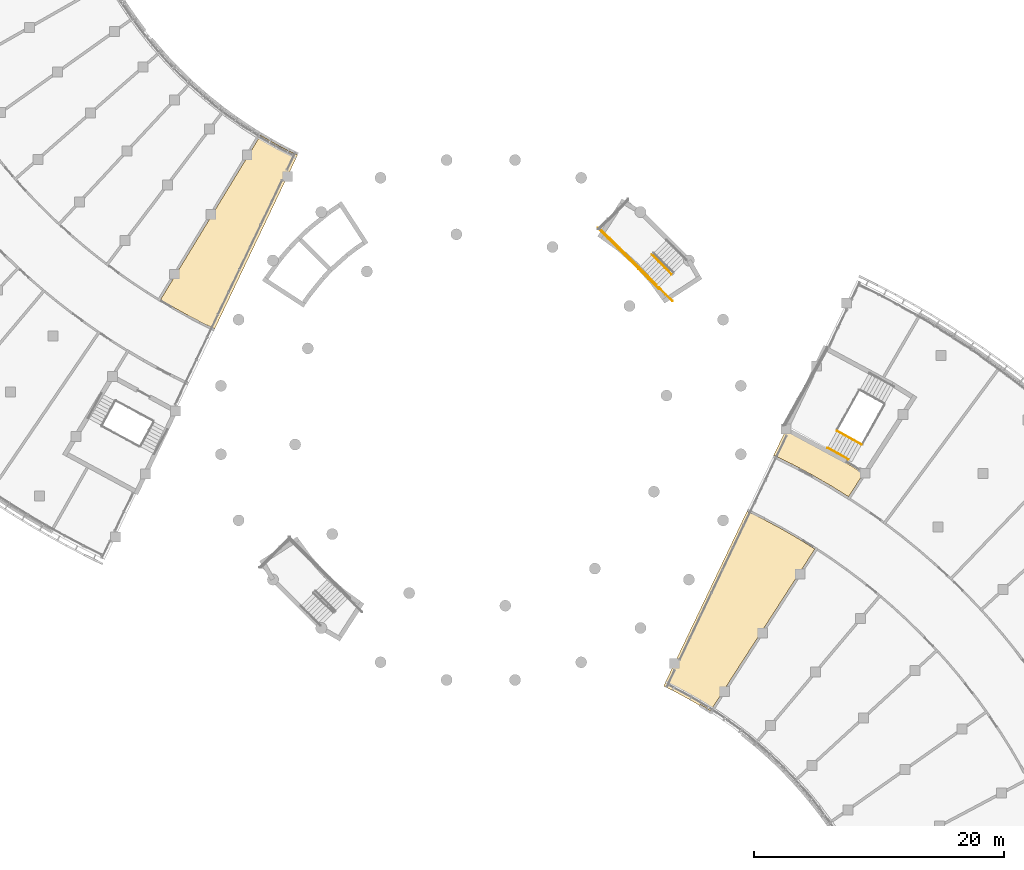
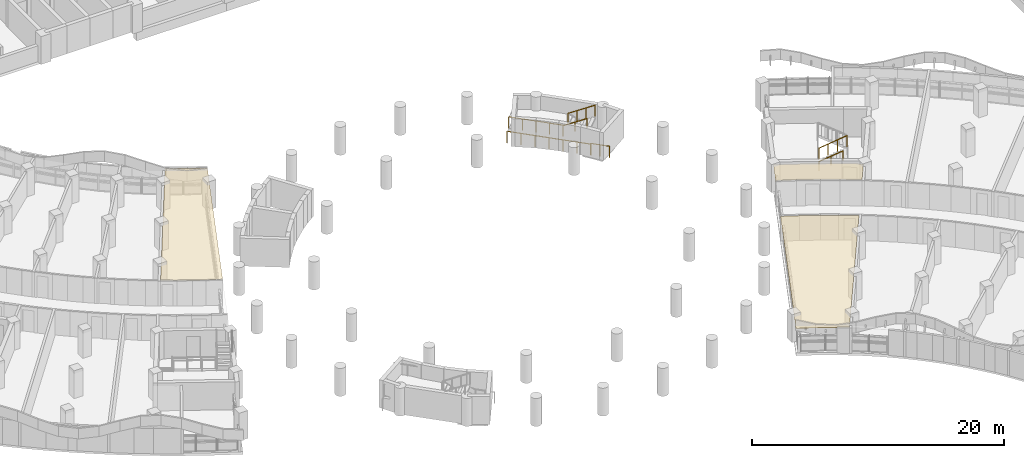
# One storey, part 80 of 89: 7 railings, 3 coverings.
"""IFC4 building model written with IfcOpenShell, lengths in metres."""

import ifcopenshell
import ifcopenshell.guid

model = None  # the IFC model being written
_history = None  # IfcOwnerHistory: only IFC2X3 demands one
_inside = {}  # id of a spatial element -> (the spatial element, [elements in it])
_under = {}  # id of a project, library or spatial element -> (it, [spatial elements below it])
_declared = {}  # id of a project -> (the project, [libraries it declares])
_typed = {}  # id of a type object -> (the type object, [elements of that type])
_made_of = {}  # id of a material, layer set ... -> (it, [elements and type objects made of it])


def new_model(schema):
    """Start an empty IFC model of exactly this schema.

    Asked for "IFC4X3", IfcOpenShell would pick the latest addendum, in which some entities
    have other attributes; the version numbers below select the first issue.
    IFC2X3 requires an IfcOwnerHistory on every rooted entity: one is made here for all.
    """
    global model, _history
    if schema == "IFC4X3":
        model = ifcopenshell.file(schema_version=(4, 3, 0, 0))
    else:
        model = ifcopenshell.file(schema=schema)
    _inside.clear()
    _under.clear()
    _declared.clear()
    _typed.clear()
    _made_of.clear()
    _history = None
    if model.schema == "IFC2X3":
        org = make("IfcOrganization", Name="unknown")
        user = make(
            "IfcPersonAndOrganization",
            ThePerson=make("IfcPerson", FamilyName="unknown"),
            TheOrganization=org,
        )
        app = make(
            "IfcApplication",
            ApplicationDeveloper=org,
            Version="unknown",
            ApplicationFullName="unknown",
            ApplicationIdentifier="unknown",
        )
        _history = make(
            "IfcOwnerHistory",
            OwningUser=user,
            OwningApplication=app,
            ChangeAction="ADDED",
            CreationDate=0,
        )
    return model


def make(cls, **values):
    """One entity of the class cls with the attributes given. An attribute that is None is left unset."""
    return model.create_entity(
        cls, **{name: value for name, value in values.items() if value is not None}
    )


def rooted(cls, **values):
    """An entity with a GlobalId (a new one), such as an element, a storey or a relation."""
    return make(cls, GlobalId=ifcopenshell.guid.new(), OwnerHistory=_history, **values)


def si_unit(unit_type, name, prefix=None):
    """IfcSIUnit, for example si_unit("LENGTHUNIT", "METRE", prefix="MILLI")."""
    return make("IfcSIUnit", UnitType=unit_type, Prefix=prefix, Name=name)


def assignment(units):
    """IfcUnitAssignment: the units of a project."""
    return None if units is None else make("IfcUnitAssignment", Units=units)


def point(xyz):
    """IfcCartesianPoint."""
    return None if xyz is None else make("IfcCartesianPoint", Coordinates=xyz)


def direction(xyz):
    """IfcDirection."""
    return None if xyz is None else make("IfcDirection", DirectionRatios=xyz)


def frame(location, z_axis=None, x_axis=None):
    """IfcAxis2Placement3D, a coordinate frame: its origin and axes. An axis left out is left unset."""
    return make(
        "IfcAxis2Placement3D",
        Location=point(location),
        Axis=direction(z_axis),
        RefDirection=direction(x_axis),
    )


def frame_2d(location, x_axis=None):
    """IfcAxis2Placement2D, a coordinate frame in the plane: its origin and x axis."""
    return make(
        "IfcAxis2Placement2D", Location=point(location), RefDirection=direction(x_axis)
    )


def origin():
    """The frame at (0, 0, 0) with its axes left unset."""
    return frame((0.0, 0.0, 0.0))


def origin_2d():
    """The frame at (0, 0) in the plane with its x axis left unset."""
    return frame_2d((0.0, 0.0))


def place(relative_to, where):
    """IfcLocalPlacement: puts the frame where relative to a parent placement (None: the world)."""
    return make(
        "IfcLocalPlacement", PlacementRelTo=relative_to, RelativePlacement=where
    )


def context(
    kind, dimensions, precision=None, world=None, true_north=None, identifier=None
):
    """IfcGeometricRepresentationContext, for example the 3D "Model" context."""
    return make(
        "IfcGeometricRepresentationContext",
        ContextIdentifier=identifier,
        ContextType=kind,
        CoordinateSpaceDimension=dimensions,
        Precision=precision,
        WorldCoordinateSystem=world,
        TrueNorth=true_north,
    )


def subcontext(parent, identifier, kind, view, scale=None):
    """IfcGeometricRepresentationSubContext, for example "Body" below "Model"."""
    return make(
        "IfcGeometricRepresentationSubContext",
        ContextIdentifier=identifier,
        ContextType=kind,
        ParentContext=parent,
        TargetScale=scale,
        TargetView=view,
    )


def project(units=None, contexts=None):
    """IfcProject with its units and contexts."""
    return rooted(
        "IfcProject",
        Name="project",
        RepresentationContexts=contexts,
        UnitsInContext=assignment(units),
    )


def spatial(cls, under=None, at=None, **own):
    """A site, building, storey or space (cls), placed at a placement, below another one or the project."""
    s = rooted(cls, ObjectPlacement=at, **own)
    if under is not None:
        _under.setdefault(under.id(), (under, []))[1].append(s)
    return s


def polyline(points):
    """IfcPolyline through the points."""
    return make("IfcPolyline", Points=[point(p) for p in points])


def profile(cls, at=None, kind="AREA", **sizes):
    """A parametric profile (cls). Its sizes go by their IFC names, for example OverallWidth=200.0."""
    return make(cls, ProfileType=kind, Position=at, **sizes)


def circle(**sizes):
    """IfcCircleProfileDef."""
    return profile("IfcCircleProfileDef", **sizes)


def outline(outer, holes=None, kind="AREA"):
    """IfcArbitraryClosedProfileDef: a profile drawn as a closed curve; with holes, ...WithVoids."""
    if holes is None:
        return make("IfcArbitraryClosedProfileDef", ProfileType=kind, OuterCurve=outer)
    return make(
        "IfcArbitraryProfileDefWithVoids",
        ProfileType=kind,
        OuterCurve=outer,
        InnerCurves=holes,
    )


def extrude(swept, where, along, depth):
    """IfcExtrudedAreaSolid: the profile swept, set in the frame where, extruded along a direction by depth."""
    return make(
        "IfcExtrudedAreaSolid",
        SweptArea=swept,
        Position=where,
        ExtrudedDirection=direction(along),
        Depth=depth,
    )


def shape(context_of_items, identifier, shape_type, items):
    """IfcShapeRepresentation: the items that make up one representation, for example the "Body"."""
    return make(
        "IfcShapeRepresentation",
        ContextOfItems=context_of_items,
        RepresentationIdentifier=identifier,
        RepresentationType=shape_type,
        Items=items,
    )


def material(Name=None, Category=None):
    """IfcMaterial."""
    return make("IfcMaterial", Name=Name, Category=Category)


def layer(
    of_material, thickness, ventilated=None, Name=None, Category=None, Priority=None
):
    """IfcMaterialLayer: one layer of a wall or slab, of a material (None: an air gap)."""
    return make(
        "IfcMaterialLayer",
        Material=of_material,
        LayerThickness=thickness,
        IsVentilated=ventilated,
        Name=Name,
        Category=Category,
        Priority=Priority,
    )


def layer_set(layers, Name=None):
    """IfcMaterialLayerSet."""
    return make("IfcMaterialLayerSet", MaterialLayers=layers, LayerSetName=Name)


def made_of(thing, what):
    """Note that an element or type object is made of a material, layer set ...; save() writes the relation."""
    if what is not None:
        _made_of.setdefault(what.id(), (what, []))[1].append(thing)
    return thing


def type_object(cls, material=None, **own):
    """A type object (cls), such as IfcWallType, which elements share."""
    return made_of(rooted(cls, **own), material)


def element(
    cls,
    number,
    at=None,
    inside=None,
    cuts=None,
    type_object=None,
    material=None,
    context=None,
    identifier="Body",
    shape_type=None,
    held_by="IfcProductDefinitionShape",
    body=None,
    shapes=None,
    **own,
):
    """One element of the class cls, such as IfcWall. Its Tag is "e" and its number.

    at: its placement. inside: the storey or other place that contains it. cuts: it is an
    opening in that element (IfcRelVoidsElement). A single representation is given by context,
    identifier, shape_type and body (its items); several are given by shapes. held_by: the class
    of the entity that holds the representations. save() writes the other relations.
    """
    e = rooted(cls, Tag="e%d" % number, ObjectPlacement=at, **own)
    if body is not None:
        shapes = [shape(context, identifier, shape_type, body)]
    if shapes is not None:
        e.Representation = make(held_by, Representations=shapes)
    if inside is not None:
        _inside.setdefault(inside.id(), (inside, []))[1].append(e)
    if cuts is not None:
        rooted(
            "IfcRelVoidsElement", RelatingBuildingElement=cuts, RelatedOpeningElement=e
        )
    if type_object is not None:
        _typed.setdefault(type_object.id(), (type_object, []))[1].append(e)
    return made_of(e, material)


def aggregate(whole, parts):
    """IfcRelAggregates: a whole, such as a stair, and the parts it consists of."""
    return rooted("IfcRelAggregates", RelatingObject=whole, RelatedObjects=parts)


def save(model, path):
    """Write the relations noted so far, then the file.

    IfcRelAggregates (storeys below a building ...), IfcRelContainedInSpatialStructure (elements
    in a storey), IfcRelDefinesByType, IfcRelAssociatesMaterial and IfcRelDeclares: one each for
    every whole, place, type object, material and project.
    """
    for whole, parts in _under.values():
        aggregate(whole, parts)
    for where, things in _inside.values():
        rooted(
            "IfcRelContainedInSpatialStructure",
            RelatedElements=things,
            RelatingStructure=where,
        )
    for kind, things in _typed.values():
        rooted("IfcRelDefinesByType", RelatedObjects=things, RelatingType=kind)
    for what, things in _made_of.values():
        rooted("IfcRelAssociatesMaterial", RelatedObjects=things, RelatingMaterial=what)
    for by, libraries in _declared.values():
        rooted("IfcRelDeclares", RelatingContext=by, RelatedDefinitions=libraries)
    model.write(path)


model = new_model("IFC4")

# Units and contexts
model_context = context("Model", 3, precision=1e-05, world=origin(), true_north=direction((0.0, 1.0)))
body_context = subcontext(model_context, "Body", "Model", "MODEL_VIEW")
ifc_project = project(units=[si_unit("LENGTHUNIT", "METRE"), si_unit("AREAUNIT", "SQUARE_METRE"), si_unit("VOLUMEUNIT", "CUBIC_METRE"), si_unit("PLANEANGLEUNIT", "RADIAN"), si_unit("MASSUNIT", "GRAM", prefix="KILO")], contexts=[model_context])

# Site, building, storey
site_placement = place(None, origin())
site = spatial("IfcSite", under=ifc_project, at=site_placement, CompositionType="ELEMENT")
building_placement = place(site_placement, origin())
building = spatial("IfcBuilding", under=site, at=building_placement, Name="Bougainvillea Quay General Hospital", CompositionType="ELEMENT")
storey_placement = place(building_placement, frame((0.0, 0.0, 9.89990234375)))
storey = spatial("IfcBuildingStorey", under=building, at=storey_placement, Name="L01M", CompositionType="ELEMENT", Elevation=9.89990234375)

# Railings
ifc_material_1 = material(Name="Stainless steel 304 balustrade", Category="steel")
railing_type_1 = type_object("IfcRailingType", Name="Stair guard 1100", PredefinedType="GUARDRAIL", material=ifc_material_1)
railing_1_placement = place(storey_placement, frame((137.727783203125, 73.1259765625, 1.5)))
element("IfcRailing", 1, at=railing_1_placement, inside=storey, type_object=railing_type_1, Name="L01M ST-E1 stair guard 4", PredefinedType="GUARDRAIL", context=body_context, shape_type="SweptSolid", body=[
    extrude(circle(Radius=0.02392578125, at=origin_2d()), frame((0.0, 0.0, 1.076171875), z_axis=(0.769744021649, -0.429450296652, 0.472299252425), x_axis=(0.487215399405, 0.873281829985, 0.0)), (0.0, 0.0, 1.0), 2.541259765625),
    extrude(circle(Radius=0.02099609375, at=origin_2d()), origin(), (0.0, 0.0, 1.0), 1.052001953125),
    extrude(circle(Radius=0.02099609375, at=origin_2d()), frame((0.652099609375, -0.36376953125, 0.400146484375)), (0.0, 0.0, 1.0), 1.052001953125),
    extrude(circle(Radius=0.02099609375, at=origin_2d()), frame((1.303955078125, -0.7275390625, 0.800048828125)), (0.0, 0.0, 1.0), 1.052001953125),
    extrude(circle(Radius=0.02099609375, at=origin_2d()), frame((1.9560546875, -1.09130859375, 1.2001953125)), (0.0, 0.0, 1.0), 1.052001953125),
])
railing_2_placement = place(storey_placement, frame((121.86962890625, 86.208740234375, 1.35009765625)))
element("IfcRailing", 2, at=railing_2_placement, inside=storey, type_object=railing_type_1, Name="L01M ST-H1 stair guard 3", PredefinedType="GUARDRAIL", context=body_context, shape_type="SweptSolid", body=[
    extrude(circle(Radius=0.02392578125, at=origin_2d()), frame((0.0, 0.0, 1.076171875), z_axis=(-0.707106781187, 0.707106781187, 0.0), x_axis=(-0.707106781187, -0.707106781187, 0.0)), (0.0, 0.0, 1.0), 4.455078125),
    extrude(circle(Radius=0.02099609375, at=origin_2d()), origin(), (0.0, 0.0, 1.0), 1.052001953125),
    extrude(circle(Radius=0.02099609375, at=origin_2d()), frame((-0.78759765625, 0.78759765625, 0.0)), (0.0, 0.0, 1.0), 1.052001953125),
    extrude(circle(Radius=0.02099609375, at=origin_2d()), frame((-1.5751953125, 1.5751953125, 0.0)), (0.0, 0.0, 1.0), 1.052001953125),
    extrude(circle(Radius=0.02099609375, at=origin_2d()), frame((-2.362548828125, 2.362548828125, 0.0)), (0.0, 0.0, 1.0), 1.052001953125),
    extrude(circle(Radius=0.02099609375, at=origin_2d()), frame((-3.150146484375, 3.150146484375, 0.0)), (0.0, 0.0, 1.0), 1.052001953125),
])
railing_3_placement = place(storey_placement, frame((122.904052734375, 87.2431640625, 1.5)))
element("IfcRailing", 3, at=railing_3_placement, inside=storey, type_object=railing_type_1, Name="L01M ST-H1 stair guard 5", PredefinedType="GUARDRAIL", context=body_context, shape_type="SweptSolid", body=[
    extrude(circle(Radius=0.02392578125, at=origin_2d()), frame((0.0, 0.0, 1.076171875), z_axis=(0.623320883276, -0.62322481039, 0.472294306748), x_axis=(0.707052281454, 0.707161276719, 0.0)), (0.0, 0.0, 1.0), 2.541259765625),
    extrude(circle(Radius=0.02099609375, at=origin_2d()), origin(), (0.0, 0.0, 1.0), 1.052001953125),
    extrude(circle(Radius=0.02099609375, at=origin_2d()), frame((0.528076171875, -0.52783203125, 0.400146484375)), (0.0, 0.0, 1.0), 1.052001953125),
    extrude(circle(Radius=0.02099609375, at=origin_2d()), frame((1.055908203125, -1.055908203125, 0.800048828125)), (0.0, 0.0, 1.0), 1.052001953125),
    extrude(circle(Radius=0.02099609375, at=origin_2d()), frame((1.583984375, -1.583740234375, 1.2001953125)), (0.0, 0.0, 1.0), 1.052001953125),
])
railing_4_placement = place(storey_placement, frame((124.558837890625, 83.51953125, 0.0)))
element("IfcRailing", 4, at=railing_4_placement, inside=storey, type_object=railing_type_1, Name="L01M ST-H1 stair guard 7", PredefinedType="GUARDRAIL", context=body_context, shape_type="SweptSolid", body=[
    extrude(circle(Radius=0.02392578125, at=origin_2d()), frame((0.0, 0.0, 1.076171875), z_axis=(-0.707106781187, 0.707106781187, 0.0), x_axis=(-0.707106781187, -0.707106781187, 0.0)), (0.0, 0.0, 1.0), 1.56298828125),
    extrude(circle(Radius=0.02099609375, at=origin_2d()), origin(), (0.0, 0.0, 1.0), 1.052001953125),
    extrude(circle(Radius=0.02099609375, at=origin_2d()), frame((-0.552734375, 0.552734375, 0.0)), (0.0, 0.0, 1.0), 1.052001953125),
    extrude(circle(Radius=0.02099609375, at=origin_2d()), frame((-1.105224609375, 1.105224609375, 0.0)), (0.0, 0.0, 1.0), 1.052001953125),
])
railing_5_placement = place(storey_placement, frame((123.45361328125, 84.4833984375, 0.0)))
element("IfcRailing", 5, at=railing_5_placement, inside=storey, type_object=railing_type_1, Name="L01M ST-H1 stair guard 8", PredefinedType="GUARDRAIL", context=body_context, shape_type="SweptSolid", body=[
    extrude(circle(Radius=0.02392578125, at=origin_2d()), frame((0.0, 0.0, 1.076171875), z_axis=(-0.707106781187, 0.707106781187, 0.0), x_axis=(-0.707106781187, -0.707106781187, 0.0)), (0.0, 0.0, 1.0), 6.89501953125),
    extrude(circle(Radius=0.02099609375, at=origin_2d()), origin(), (0.0, 0.0, 1.0), 1.052001953125),
    extrude(circle(Radius=0.02099609375, at=origin_2d()), frame((-0.8125, 0.8125, 0.0)), (0.0, 0.0, 1.0), 1.052001953125),
    extrude(circle(Radius=0.02099609375, at=origin_2d()), frame((-1.625244140625, 1.625244140625, 0.0)), (0.0, 0.0, 1.0), 1.052001953125),
    extrude(circle(Radius=0.02099609375, at=origin_2d()), frame((-2.437744140625, 2.437744140625, 0.0)), (0.0, 0.0, 1.0), 1.052001953125),
    extrude(circle(Radius=0.02099609375, at=origin_2d()), frame((-3.250244140625, 3.250244140625, 0.0)), (0.0, 0.0, 1.0), 1.052001953125),
    extrude(circle(Radius=0.02099609375, at=origin_2d()), frame((-4.06298828125, 4.06298828125, 0.0)), (0.0, 0.0, 1.0), 1.052001953125),
    extrude(circle(Radius=0.02099609375, at=origin_2d()), frame((-4.87548828125, 4.87548828125, 0.0)), (0.0, 0.0, 1.0), 1.052001953125),
])
ifc_material_2 = material(Name="Stainless steel 304 handrail", Category="steel")
railing_type_2 = type_object("IfcRailingType", Name="Stair handrail 900", PredefinedType="HANDRAIL", material=ifc_material_2)
railing_6_placement = place(storey_placement, frame((136.97265625, 71.772216796875, 1.5)))
element("IfcRailing", 6, at=railing_6_placement, inside=storey, type_object=railing_type_2, Name="L01M ST-E1 stair handrail 2", PredefinedType="HANDRAIL", context=body_context, shape_type="SweptSolid", body=[
    extrude(circle(Radius=0.02392578125, at=origin_2d()), frame((0.0, 0.0, 0.8759765625), z_axis=(0.769766477046, -0.429491734351, 0.47222496857), x_axis=(0.487240410634, 0.873267875423, 0.0)), (0.0, 0.0, 1.0), 2.148193359375),
    extrude(circle(Radius=0.02099609375, at=origin_2d()), origin(), (0.0, 0.0, 1.0), 0.851806640625),
    extrude(circle(Radius=0.02099609375, at=origin_2d()), frame((0.82666015625, -0.46142578125, 0.50732421875)), (0.0, 0.0, 1.0), 0.851806640625),
    extrude(circle(Radius=0.02099609375, at=origin_2d()), frame((1.653564453125, -0.922607421875, 1.014404296875)), (0.0, 0.0, 1.0), 0.851806640625),
])
railing_7_placement = place(storey_placement, frame((121.86962890625, 86.208740234375, 1.5)))
element("IfcRailing", 7, at=railing_7_placement, inside=storey, type_object=railing_type_2, Name="L01M ST-H1 stair handrail 2", PredefinedType="HANDRAIL", context=body_context, shape_type="SweptSolid", body=[
    extrude(circle(Radius=0.02392578125, at=origin_2d()), frame((0.0, 0.0, 0.8759765625), z_axis=(0.62329099477, -0.62329099477, 0.472246409915), x_axis=(0.707106781187, 0.707106781187, 0.0)), (0.0, 0.0, 1.0), 2.2353515625),
    extrude(circle(Radius=0.02099609375, at=origin_2d()), origin(), (0.0, 0.0, 1.0), 0.851806640625),
    extrude(circle(Radius=0.02099609375, at=origin_2d()), frame((0.69677734375, -0.69677734375, 0.52783203125)), (0.0, 0.0, 1.0), 0.851806640625),
    extrude(circle(Radius=0.02099609375, at=origin_2d()), frame((1.393310546875, -1.393310546875, 1.0556640625)), (0.0, 0.0, 1.0), 0.851806640625),
])

# Coverings
ifc_material_3 = material(Name="Mineral fibre ceiling tile")
ifc_layer = layer(ifc_material_3, 0.030029296875)
ifc_layer_set = layer_set([ifc_layer], Name="Mineral fibre ceiling tile")
covering_type = type_object("IfcCoveringType", Name="Suspended ceiling mineral fibre tile", PredefinedType="CEILING", material=ifc_layer_set)
covering_1_placement = place(storey_placement, frame((0.0, 0.0, 2.3701171875)))
element("IfcCovering", 8, at=covering_1_placement, inside=storey, type_object=covering_type, Name="Ceiling Smoke-proof Vestibule ST-E1", PredefinedType="CEILING", context=body_context, shape_type="SweptSolid", body=[
    extrude(outline(polyline([(132.6201171875, 71.10107421875), (132.66455078125, 71.190673828125), (134.1318359375, 70.461669921875), (134.13330078125, 70.46435546875), (134.219970703125, 70.417724609375), (134.30810546875, 70.3740234375), (134.306640625, 70.371337890625), (135.6650390625, 69.640869140625), (135.66650390625, 69.6435546875), (135.751708984375, 69.59423828125), (135.83837890625, 69.547607421875), (135.8369140625, 69.544921875), (137.171142578125, 68.77294921875), (137.1728515625, 68.775634765625), (137.25634765625, 68.723876953125), (137.341552734375, 68.674560546875), (137.340087890625, 68.671630859375), (138.648193359375, 67.85791015625), (139.83984375, 69.706787109375), (138.3896484375, 70.609130859375), (136.8232421875, 71.515625), (135.22998046875, 72.3720703125), (133.60986328125, 73.1767578125), (132.6201171875, 71.10107421875)])), origin(), (0.0, 0.0, 1.0), 0.030029296875),
])
covering_2_placement = place(storey_placement, frame((0.0, 0.0, 2.3701171875)))
element("IfcCovering", 9, at=covering_2_placement, inside=storey, type_object=covering_type, Name="Ceiling Interstitial Service Space", PredefinedType="CEILING", context=body_context, shape_type="SweptSolid", body=[
    extrude(outline(polyline([(94.56298828125, 95.31201171875), (94.517822265625, 95.222900390625), (93.111572265625, 95.936767578125), (93.109130859375, 95.9326171875), (93.0244140625, 95.98095703125), (92.9375, 96.025146484375), (92.939697265625, 96.029541015625), (91.56494140625, 96.81689453125), (83.549072265625, 83.63818359375), (84.59228515625, 83.02197265625), (85.673583984375, 82.4208984375), (86.76904296875, 81.845947265625), (87.87939453125, 81.2998046875), (94.56298828125, 95.31201171875)])), origin(), (0.0, 0.0, 1.0), 0.030029296875),
])
covering_3_placement = place(storey_placement, frame((0.0, 0.0, 2.3701171875)))
element("IfcCovering", 10, at=covering_3_placement, inside=storey, type_object=covering_type, Name="Ceiling Electrical Switch Room and Riser Space", PredefinedType="CEILING", context=body_context, shape_type="SweptSolid", body=[
    extrude(outline(polyline([(126.702880859375, 51.14892578125), (126.755859375, 51.23388671875), (127.59326171875, 50.7119140625), (135.950439453125, 63.673828125), (134.634521484375, 64.49365234375), (133.28662109375, 65.2724609375), (131.91455078125, 66.00830078125), (130.520751953125, 66.7001953125), (123.8369140625, 52.68798828125), (124.7939453125, 52.212890625), (125.70703125, 51.72412109375), (126.702880859375, 51.14892578125)])), origin(), (0.0, 0.0, 1.0), 0.030029296875),
])

save(model, "model.ifc")
